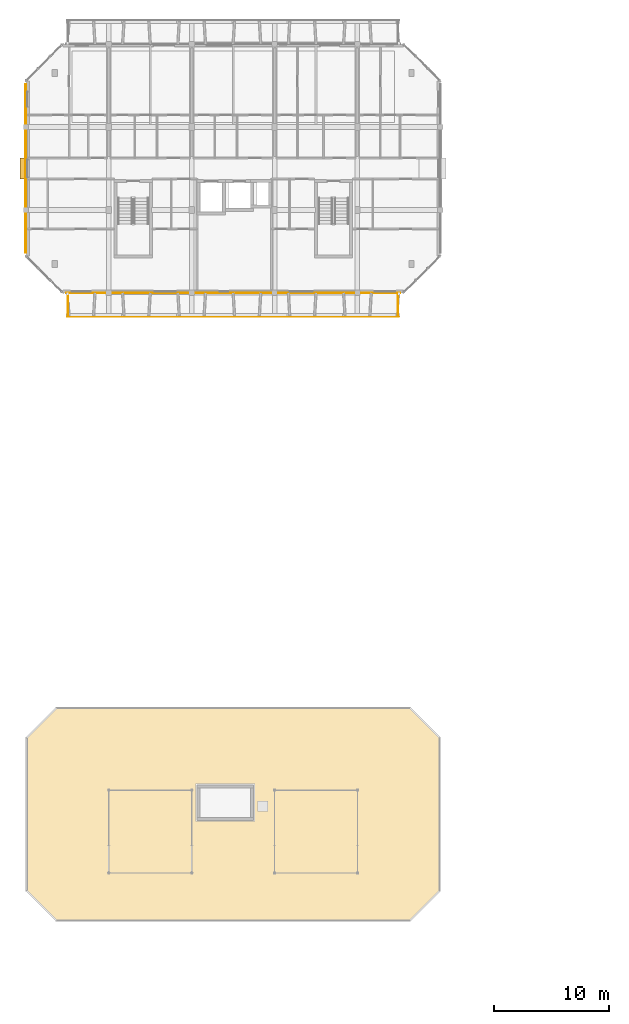
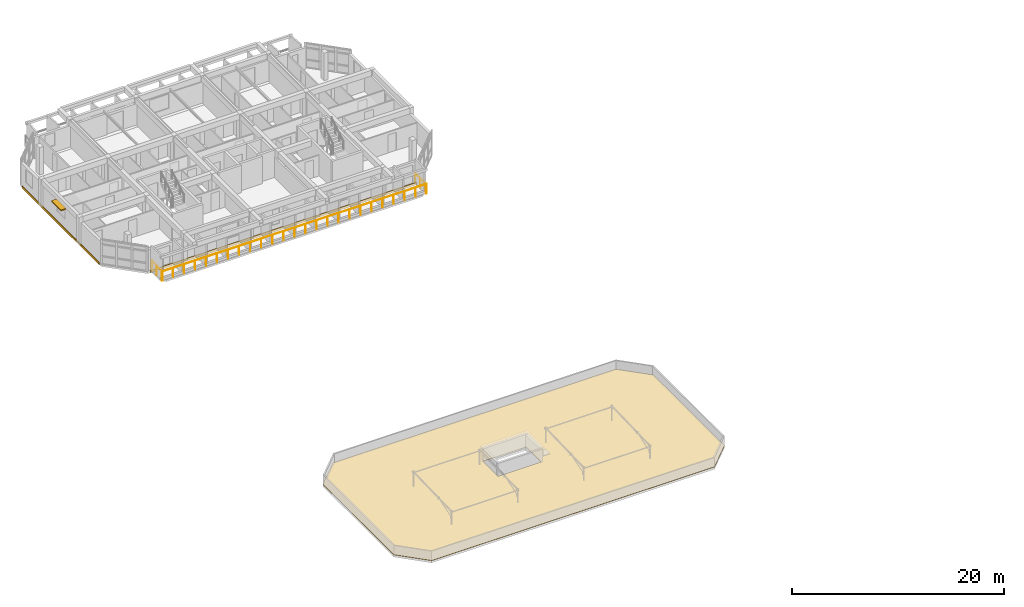
# One storey, part 36 of 43: 3 coverings, 3 railings, 1 shading device.
"""IFC4 building model written with IfcOpenShell, lengths in metres."""

from ifc_helpers import new_model, si_unit, direction, frame, origin, origin_2d, place, context, subcontext, project, spatial, polyline, rectangle, circle, outline, extrude, material, layer, layer_set, type_object, element, save


model = new_model("IFC4")

# Units and contexts
model_context = context("Model", 3, precision=1e-05, world=origin(), true_north=direction((0.0, 1.0)))
body_context = subcontext(model_context, "Body", "Model", "MODEL_VIEW")
ifc_project = project(units=[si_unit("LENGTHUNIT", "METRE"), si_unit("AREAUNIT", "SQUARE_METRE"), si_unit("VOLUMEUNIT", "CUBIC_METRE"), si_unit("PLANEANGLEUNIT", "RADIAN"), si_unit("MASSUNIT", "GRAM", prefix="KILO")], contexts=[model_context])

# Site, building, storey
site_placement = place(None, origin())
site = spatial("IfcSite", under=ifc_project, at=site_placement, CompositionType="ELEMENT")
building_placement = place(site_placement, origin())
building = spatial("IfcBuilding", under=site, at=building_placement, Name="Ochrevale Crest", CompositionType="ELEMENT")
storey_placement = place(building_placement, frame((0.0, 0.0, 30.75)))
storey = spatial("IfcBuildingStorey", under=building, at=storey_placement, Name="L09", CompositionType="ELEMENT", Elevation=30.75)

# Coverings
ifc_material_1 = material(Name="Glazed terracotta rainscreen tile", Category="masonry")
ifc_layer_1 = layer(ifc_material_1, 0.048095703125)
ifc_layer_set_1 = layer_set([ifc_layer_1], Name="Glazed terracotta rainscreen tile")
covering_type_1 = type_object("IfcCoveringType", Name="COV-CLAD-TER", PredefinedType="CLADDING", material=ifc_layer_set_1)
covering_1_placement = place(storey_placement, frame((18.0, 71.987548828125, -0.26025390625), z_axis=(0.0, 0.0, 1.0), x_axis=(1.0, 0.0, 0.0)))
element("IfcCovering", 1, at=covering_1_placement, inside=storey, type_object=covering_type_1, Name="Block B L09 terracotta slab-edge spandrel cladding", PredefinedType="CLADDING", context=body_context, shape_type="SweptSolid", body=[
    extrude(rectangle(XDim=29.0, YDim=0.06005859375, at=origin_2d()), origin(), (0.0, 0.0, 1.0), 0.280029296875),
])
covering_2_placement = place(storey_placement, frame((-0.014404296875, 82.800048828125, -0.26025390625), z_axis=(0.0, 0.0, 1.0), x_axis=(0.0, -1.0, 0.0)))
element("IfcCovering", 2, at=covering_2_placement, inside=storey, type_object=covering_type_1, Name="Block B L09 terracotta slab-edge spandrel cladding", PredefinedType="CLADDING", context=body_context, shape_type="SweptSolid", body=[
    extrude(rectangle(XDim=14.60009765625, YDim=0.06005859375, at=origin_2d()), origin(), (0.0, 0.0, 1.0), 0.280029296875),
])
ifc_material_2 = material(Name="SBS polymer-modified bitumen waterproofing membrane", Category="bitumen")
ifc_layer_2 = layer(ifc_material_2, 0.034912109375)
ifc_layer_set_2 = layer_set([ifc_layer_2], Name="SBS polymer-modified bitumen waterproofing membrane")
covering_type_2 = type_object("IfcCoveringType", Name="COV-ROOF-MEM", PredefinedType="ROOFING", material=ifc_layer_set_2)
covering_3_placement = place(storey_placement, origin())
element("IfcCovering", 3, at=covering_3_placement, inside=storey, type_object=covering_type_2, Name="Block A SBS waterproofing roof membrane", PredefinedType="ROOFING", context=body_context, shape_type="SweptSolid", body=[
    extrude(outline(polyline([(2.60009765625, 17.39990234375), (33.39990234375, 17.39990234375), (36.0, 20.0), (36.0, 33.39990234375), (33.39990234375, 36.0), (2.60009765625, 36.0), (0.0, 33.39990234375), (0.0, 20.0), (2.60009765625, 17.39990234375)]), holes=[polyline([(15.0, 26.300048828125), (19.64990234375, 26.300048828125), (19.64990234375, 29.10009765625), (15.0, 29.10009765625), (15.0, 26.300048828125)])]), origin(), (0.0, 0.0, 1.0), 0.034912109375),
])

# Railings
ifc_material_3 = material(Name="Galvanised steel", Category="steel")
railing_type = type_object("IfcRailingType", Name="RL-BAL-1100", PredefinedType="BALUSTRADE", material=ifc_material_3)
railing_placement = place(storey_placement, frame((3.60009765625, 69.9599609375, 0.0)))
element("IfcRailing", 4, at=railing_placement, inside=storey, type_object=railing_type, Name="Block B L09 S balcony front balustrade", PredefinedType="BALUSTRADE", context=body_context, shape_type="SweptSolid", body=[
    extrude(circle(Radius=0.02392578125, at=origin_2d()), frame((0.0, 0.0, 1.0859375), z_axis=(1.0, 0.0, 0.0), x_axis=(0.0, 1.0, 0.0)), (0.0, 0.0, 1.0), 28.7998046875),
    extrude(circle(Radius=0.02099609375, at=origin_2d()), origin(), (0.0, 0.0, 1.0), 1.06201171875),
    extrude(circle(Radius=0.02099609375, at=origin_2d()), frame((1.199951171875, 0.0, 0.0)), (0.0, 0.0, 1.0), 1.06201171875),
    extrude(circle(Radius=0.02099609375, at=origin_2d()), frame((2.39990234375, 0.0, 0.0)), (0.0, 0.0, 1.0), 1.06201171875),
    extrude(circle(Radius=0.02099609375, at=origin_2d()), frame((3.60009765625, 0.0, 0.0)), (0.0, 0.0, 1.0), 1.06201171875),
    extrude(circle(Radius=0.02099609375, at=origin_2d()), frame((4.800048828125, 0.0, 0.0)), (0.0, 0.0, 1.0), 1.06201171875),
    extrude(circle(Radius=0.02099609375, at=origin_2d()), frame((6.0, 0.0, 0.0)), (0.0, 0.0, 1.0), 1.06201171875),
    extrude(circle(Radius=0.02099609375, at=origin_2d()), frame((7.199951171875, 0.0, 0.0)), (0.0, 0.0, 1.0), 1.06201171875),
    extrude(circle(Radius=0.02099609375, at=origin_2d()), frame((8.39990234375, 0.0, 0.0)), (0.0, 0.0, 1.0), 1.06201171875),
    extrude(circle(Radius=0.02099609375, at=origin_2d()), frame((9.599853515625, 0.0, 0.0)), (0.0, 0.0, 1.0), 1.06201171875),
    extrude(circle(Radius=0.02099609375, at=origin_2d()), frame((10.7998046875, 0.0, 0.0)), (0.0, 0.0, 1.0), 1.06201171875),
    extrude(circle(Radius=0.02099609375, at=origin_2d()), frame((12.0, 0.0, 0.0)), (0.0, 0.0, 1.0), 1.06201171875),
    extrude(circle(Radius=0.02099609375, at=origin_2d()), frame((13.199951171875, 0.0, 0.0)), (0.0, 0.0, 1.0), 1.06201171875),
    extrude(circle(Radius=0.02099609375, at=origin_2d()), frame((14.39990234375, 0.0, 0.0)), (0.0, 0.0, 1.0), 1.06201171875),
    extrude(circle(Radius=0.02099609375, at=origin_2d()), frame((15.599853515625, 0.0, 0.0)), (0.0, 0.0, 1.0), 1.06201171875),
    extrude(circle(Radius=0.02099609375, at=origin_2d()), frame((16.7998046875, 0.0, 0.0)), (0.0, 0.0, 1.0), 1.06201171875),
    extrude(circle(Radius=0.02099609375, at=origin_2d()), frame((18.0, 0.0, 0.0)), (0.0, 0.0, 1.0), 1.06201171875),
    extrude(circle(Radius=0.02099609375, at=origin_2d()), frame((19.199951171875, 0.0, 0.0)), (0.0, 0.0, 1.0), 1.06201171875),
    extrude(circle(Radius=0.02099609375, at=origin_2d()), frame((20.39990234375, 0.0, 0.0)), (0.0, 0.0, 1.0), 1.06201171875),
    extrude(circle(Radius=0.02099609375, at=origin_2d()), frame((21.599853515625, 0.0, 0.0)), (0.0, 0.0, 1.0), 1.06201171875),
    extrude(circle(Radius=0.02099609375, at=origin_2d()), frame((22.7998046875, 0.0, 0.0)), (0.0, 0.0, 1.0), 1.06201171875),
    extrude(circle(Radius=0.02099609375, at=origin_2d()), frame((23.999755859375, 0.0, 0.0)), (0.0, 0.0, 1.0), 1.06201171875),
    extrude(circle(Radius=0.02099609375, at=origin_2d()), frame((25.19970703125, 0.0, 0.0)), (0.0, 0.0, 1.0), 1.06201171875),
    extrude(circle(Radius=0.02099609375, at=origin_2d()), frame((26.39990234375, 0.0, 0.0)), (0.0, 0.0, 1.0), 1.06201171875),
    extrude(circle(Radius=0.02099609375, at=origin_2d()), frame((27.599853515625, 0.0, 0.0)), (0.0, 0.0, 1.0), 1.06201171875),
    extrude(circle(Radius=0.02099609375, at=origin_2d()), frame((28.7998046875, 0.0, 0.0)), (0.0, 0.0, 1.0), 1.06201171875),
])
for number, where, name in (
    (5, (3.659912109375, 72.0, 0.0), "Block B L09 S-W balcony side guard"),
    (6, (32.340087890625, 72.0, 0.0), "Block B L09 S-E balcony side guard"),
):
    element("IfcRailing", number, at=place(storey_placement, frame(where)), inside=storey, type_object=railing_type, Name=name, PredefinedType="BALUSTRADE", context=body_context, shape_type="SweptSolid", body=[
        extrude(circle(Radius=0.02392578125, at=origin_2d()), frame((0.0, 0.0, 1.0859375), z_axis=(0.0, -1.0, 0.0), x_axis=(1.0, 0.0, 0.0)), (0.0, 0.0, 1.0), 2.0400390625),
        extrude(circle(Radius=0.02099609375, at=origin_2d()), origin(), (0.0, 0.0, 1.0), 1.06201171875),
        extrude(circle(Radius=0.02099609375, at=origin_2d()), frame((0.0, -1.02001953125, 0.0)), (0.0, 0.0, 1.0), 1.06201171875),
        extrude(circle(Radius=0.02099609375, at=origin_2d()), frame((0.0, -2.0400390625, 0.0)), (0.0, 0.0, 1.0), 1.06201171875),
    ])

# Shading device
ifc_material_4 = material(Name="Anodised aluminium 6063-T5", Category="aluminium")
shading_device_type = type_object("IfcShadingDeviceType", Name="SHD-SUNSHADE-OC", PredefinedType="USERDEFINED", material=ifc_material_4)
shading_device_placement = place(storey_placement, frame((-0.239990234375, 82.800048828125, 2.2099609375), z_axis=(0.0, 0.0, 1.0), x_axis=(1.0, 0.0, 0.0)))
element("IfcShadingDevice", 7, at=shading_device_placement, inside=storey, type_object=shading_device_type, Name="Block B L09 gable window sunshade W", ObjectType="HORIZONTAL SUNSHADE", PredefinedType="USERDEFINED", context=body_context, shape_type="SweptSolid", body=[
    extrude(rectangle(XDim=0.550048828125, YDim=1.800048828125, at=origin_2d()), origin(), (0.0, 0.0, 1.0), 0.139892578125),
])

save(model, "model.ifc")
